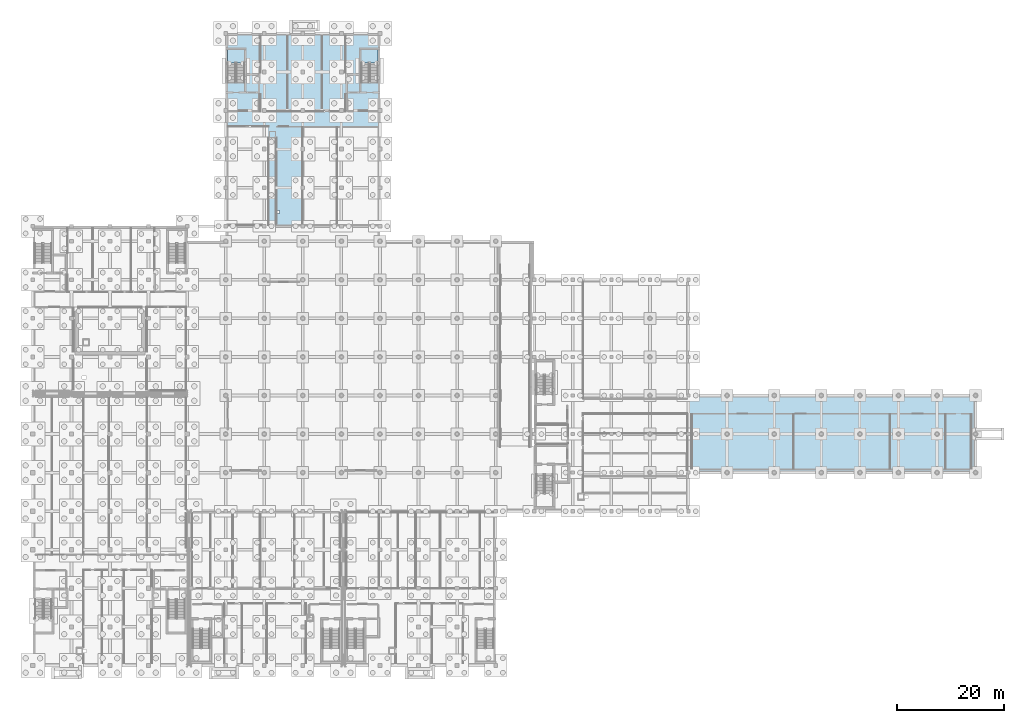
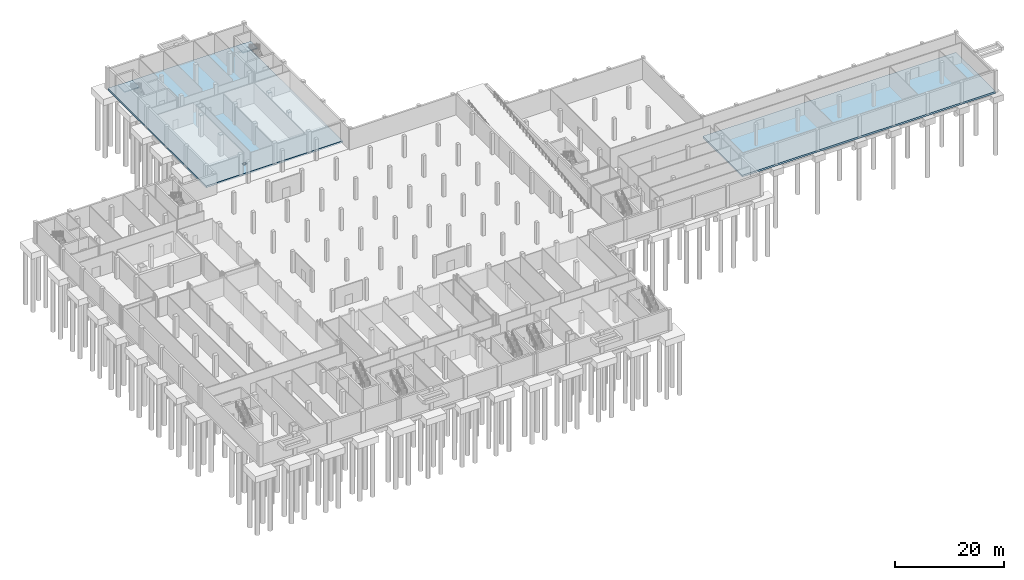
# One storey, part 14 of 35: 4 slabs, 2 elements without a shape of their own.
"""IFC4 building model written with IfcOpenShell, lengths in metres."""

from ifc_helpers import new_model, si_unit, direction, frame, origin, place, context, subcontext, project, spatial, polyline, outline, extrude, material, layer, layer_set, type_object, element, aggregate, save


model = new_model("IFC4")

# Units and contexts
model_context = context("Model", 3, precision=1e-05, world=origin(), true_north=direction((0.0, 1.0)))
body_context = subcontext(model_context, "Body", "Model", "MODEL_VIEW")
ifc_project = project(units=[si_unit("LENGTHUNIT", "METRE"), si_unit("AREAUNIT", "SQUARE_METRE"), si_unit("VOLUMEUNIT", "CUBIC_METRE"), si_unit("PLANEANGLEUNIT", "RADIAN"), si_unit("MASSUNIT", "GRAM", prefix="KILO")], contexts=[model_context])

# Site, building, storey
site_placement = place(None, origin())
site = spatial("IfcSite", under=ifc_project, at=site_placement, CompositionType="ELEMENT")
building_placement = place(site_placement, origin())
building = spatial("IfcBuilding", under=site, at=building_placement, Name="Zarrinpeak Specialist Clinic", CompositionType="ELEMENT")
storey_placement = place(building_placement, frame((0.0, 0.0, -4.800048828125)))
storey = spatial("IfcBuildingStorey", under=building, at=storey_placement, Name="B01", CompositionType="ELEMENT", Elevation=-4.800048828125)

# Slabs
ifc_material = material(Name="Concrete C35/45", Category="concrete")
ifc_layer_1 = layer(ifc_material, 0.39990234375)
ifc_layer_set_1 = layer_set([ifc_layer_1], Name="Concrete C35/45")
slab_type_1 = type_object("IfcSlabType", Name="SL-BASE400", PredefinedType="BASESLAB", material=ifc_layer_set_1)
slab_1_placement = place(storey_placement, frame((0.0, 0.0, -0.39990234375)))
element("IfcSlab", 1, at=slab_1_placement, inside=storey, type_object=slab_type_1, Name="B01 Substructure Base Slab V6", PredefinedType="BASESLAB", context=body_context, shape_type="SweptSolid", body=[
    extrude(outline(polyline([(36.0, 82.0), (64.800048828125, 82.0), (64.800048828125, 118.0), (36.0, 118.0), (36.0, 82.0)]), holes=[polyline([(45.199951171875, 84.39990234375), (46.0, 84.39990234375), (46.0, 84.949951171875), (45.199951171875, 84.949951171875), (45.199951171875, 84.39990234375)])]), origin(), (0.0, 0.0, 1.0), 0.39990234375),
])
slab_2_placement = place(storey_placement, frame((0.0, 0.0, -0.39990234375)))
element("IfcSlab", 2, at=slab_2_placement, inside=storey, type_object=slab_type_1, Name="B01 Substructure Base Slab B01-C2", PredefinedType="BASESLAB", context=body_context, shape_type="SweptSolid", body=[
    extrude(outline(polyline([(122.5400390625, 36.0), (176.0, 36.0), (176.0, 50.39990234375), (122.5400390625, 50.39990234375), (122.5400390625, 36.0)])), origin(), (0.0, 0.0, 1.0), 0.39990234375),
])

# Stair, slab
stair_type = type_object("IfcStairType", Name="ST-DOG", PredefinedType="HALF_TURN_STAIR", material=ifc_material)
stair_1_placement = place(storey_placement, origin())
stair_1 = element("IfcStair", 3, at=stair_1_placement, inside=storey, type_object=stair_type, Name="B01 Protected Exit Stair ST-11", PredefinedType="HALF_TURN_STAIR")
ifc_layer_2 = layer(ifc_material, 0.199951171875)
ifc_layer_set_2 = layer_set([ifc_layer_2], Name="Concrete C35/45")
slab_type_2 = type_object("IfcSlabType", Name="SL-LAND200", PredefinedType="LANDING", material=ifc_layer_set_2)
slab_3_placement = place(storey_placement, frame((0.0, 0.0, 2.199951171875)))
slab_3 = element("IfcSlab", 4, at=slab_3_placement, type_object=slab_type_2, Name="ST-11 landing 1", PredefinedType="LANDING", context=body_context, shape_type="SweptSolid", body=[
    extrude(outline(polyline([(39.5, 112.489990234375), (39.5, 114.949951171875), (36.35009765625, 114.949951171875), (36.35009765625, 112.489990234375), (39.5, 112.489990234375)])), origin(), (0.0, 0.0, 1.0), 0.2001953125),
])
aggregate(stair_1, [slab_3])

stair_2_placement = place(storey_placement, origin())
stair_2 = element("IfcStair", 5, at=stair_2_placement, inside=storey, type_object=stair_type, Name="B01 Protected Exit Stair ST-12", PredefinedType="HALF_TURN_STAIR")
slab_4_placement = place(storey_placement, frame((0.0, 0.0, 2.199951171875)))
slab_4 = element("IfcSlab", 6, at=slab_4_placement, type_object=slab_type_2, Name="ST-12 landing 1", PredefinedType="LANDING", context=body_context, shape_type="SweptSolid", body=[
    extrude(outline(polyline([(64.449951171875, 112.489990234375), (64.449951171875, 114.949951171875), (61.300048828125, 114.949951171875), (61.300048828125, 112.489990234375), (64.449951171875, 112.489990234375)])), origin(), (0.0, 0.0, 1.0), 0.2001953125),
])
aggregate(stair_2, [slab_4])

save(model, "model.ifc")
